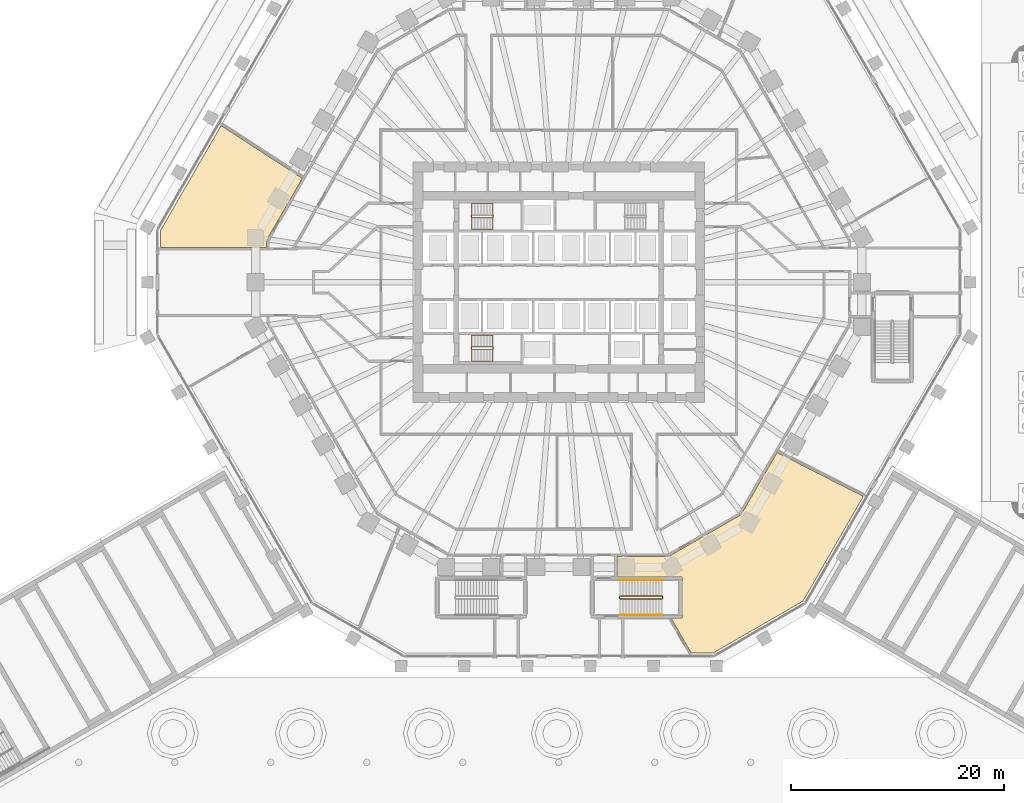
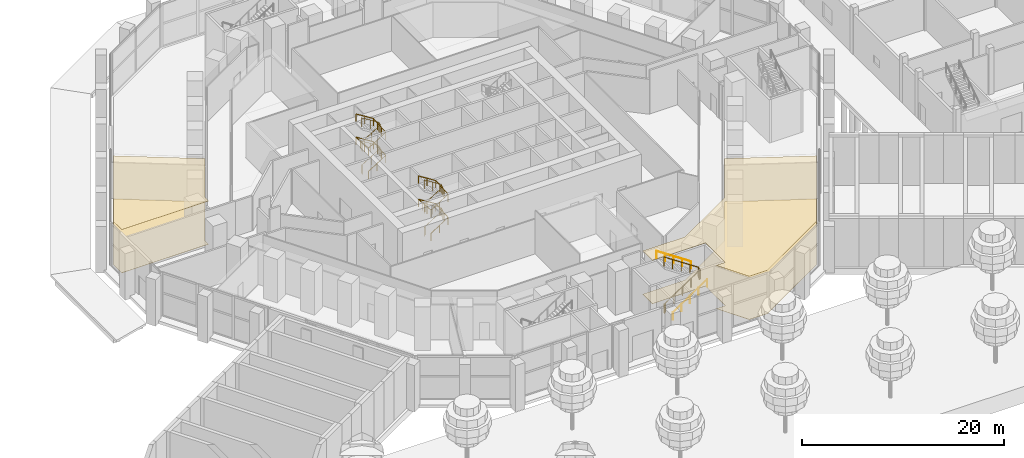
# One storey, part 34 of 44: 7 railings, 4 coverings.
"""IFC4 building model written with IfcOpenShell, lengths in metres."""

import ifcopenshell
import ifcopenshell.guid

model = None  # the IFC model being written
_history = None  # IfcOwnerHistory: only IFC2X3 demands one
_inside = {}  # id of a spatial element -> (the spatial element, [elements in it])
_under = {}  # id of a project, library or spatial element -> (it, [spatial elements below it])
_declared = {}  # id of a project -> (the project, [libraries it declares])
_typed = {}  # id of a type object -> (the type object, [elements of that type])
_made_of = {}  # id of a material, layer set ... -> (it, [elements and type objects made of it])


def new_model(schema):
    """Start an empty IFC model of exactly this schema.

    Asked for "IFC4X3", IfcOpenShell would pick the latest addendum, in which some entities
    have other attributes; the version numbers below select the first issue.
    IFC2X3 requires an IfcOwnerHistory on every rooted entity: one is made here for all.
    """
    global model, _history
    if schema == "IFC4X3":
        model = ifcopenshell.file(schema_version=(4, 3, 0, 0))
    else:
        model = ifcopenshell.file(schema=schema)
    _inside.clear()
    _under.clear()
    _declared.clear()
    _typed.clear()
    _made_of.clear()
    _history = None
    if model.schema == "IFC2X3":
        org = make("IfcOrganization", Name="unknown")
        user = make(
            "IfcPersonAndOrganization",
            ThePerson=make("IfcPerson", FamilyName="unknown"),
            TheOrganization=org,
        )
        app = make(
            "IfcApplication",
            ApplicationDeveloper=org,
            Version="unknown",
            ApplicationFullName="unknown",
            ApplicationIdentifier="unknown",
        )
        _history = make(
            "IfcOwnerHistory",
            OwningUser=user,
            OwningApplication=app,
            ChangeAction="ADDED",
            CreationDate=0,
        )
    return model


def make(cls, **values):
    """One entity of the class cls with the attributes given. An attribute that is None is left unset."""
    return model.create_entity(
        cls, **{name: value for name, value in values.items() if value is not None}
    )


def rooted(cls, **values):
    """An entity with a GlobalId (a new one), such as an element, a storey or a relation."""
    return make(cls, GlobalId=ifcopenshell.guid.new(), OwnerHistory=_history, **values)


def si_unit(unit_type, name, prefix=None):
    """IfcSIUnit, for example si_unit("LENGTHUNIT", "METRE", prefix="MILLI")."""
    return make("IfcSIUnit", UnitType=unit_type, Prefix=prefix, Name=name)


def assignment(units):
    """IfcUnitAssignment: the units of a project."""
    return None if units is None else make("IfcUnitAssignment", Units=units)


def point(xyz):
    """IfcCartesianPoint."""
    return None if xyz is None else make("IfcCartesianPoint", Coordinates=xyz)


def direction(xyz):
    """IfcDirection."""
    return None if xyz is None else make("IfcDirection", DirectionRatios=xyz)


def frame(location, z_axis=None, x_axis=None):
    """IfcAxis2Placement3D, a coordinate frame: its origin and axes. An axis left out is left unset."""
    return make(
        "IfcAxis2Placement3D",
        Location=point(location),
        Axis=direction(z_axis),
        RefDirection=direction(x_axis),
    )


def frame_2d(location, x_axis=None):
    """IfcAxis2Placement2D, a coordinate frame in the plane: its origin and x axis."""
    return make(
        "IfcAxis2Placement2D", Location=point(location), RefDirection=direction(x_axis)
    )


def origin():
    """The frame at (0, 0, 0) with its axes left unset."""
    return frame((0.0, 0.0, 0.0))


def origin_2d():
    """The frame at (0, 0) in the plane with its x axis left unset."""
    return frame_2d((0.0, 0.0))


def place(relative_to, where):
    """IfcLocalPlacement: puts the frame where relative to a parent placement (None: the world)."""
    return make(
        "IfcLocalPlacement", PlacementRelTo=relative_to, RelativePlacement=where
    )


def context(
    kind, dimensions, precision=None, world=None, true_north=None, identifier=None
):
    """IfcGeometricRepresentationContext, for example the 3D "Model" context."""
    return make(
        "IfcGeometricRepresentationContext",
        ContextIdentifier=identifier,
        ContextType=kind,
        CoordinateSpaceDimension=dimensions,
        Precision=precision,
        WorldCoordinateSystem=world,
        TrueNorth=true_north,
    )


def subcontext(parent, identifier, kind, view, scale=None):
    """IfcGeometricRepresentationSubContext, for example "Body" below "Model"."""
    return make(
        "IfcGeometricRepresentationSubContext",
        ContextIdentifier=identifier,
        ContextType=kind,
        ParentContext=parent,
        TargetScale=scale,
        TargetView=view,
    )


def project(units=None, contexts=None):
    """IfcProject with its units and contexts."""
    return rooted(
        "IfcProject",
        Name="project",
        RepresentationContexts=contexts,
        UnitsInContext=assignment(units),
    )


def spatial(cls, under=None, at=None, **own):
    """A site, building, storey or space (cls), placed at a placement, below another one or the project."""
    s = rooted(cls, ObjectPlacement=at, **own)
    if under is not None:
        _under.setdefault(under.id(), (under, []))[1].append(s)
    return s


def polyline(points):
    """IfcPolyline through the points."""
    return make("IfcPolyline", Points=[point(p) for p in points])


def profile(cls, at=None, kind="AREA", **sizes):
    """A parametric profile (cls). Its sizes go by their IFC names, for example OverallWidth=200.0."""
    return make(cls, ProfileType=kind, Position=at, **sizes)


def circle(**sizes):
    """IfcCircleProfileDef."""
    return profile("IfcCircleProfileDef", **sizes)


def outline(outer, holes=None, kind="AREA"):
    """IfcArbitraryClosedProfileDef: a profile drawn as a closed curve; with holes, ...WithVoids."""
    if holes is None:
        return make("IfcArbitraryClosedProfileDef", ProfileType=kind, OuterCurve=outer)
    return make(
        "IfcArbitraryProfileDefWithVoids",
        ProfileType=kind,
        OuterCurve=outer,
        InnerCurves=holes,
    )


def extrude(swept, where, along, depth):
    """IfcExtrudedAreaSolid: the profile swept, set in the frame where, extruded along a direction by depth."""
    return make(
        "IfcExtrudedAreaSolid",
        SweptArea=swept,
        Position=where,
        ExtrudedDirection=direction(along),
        Depth=depth,
    )


def shape(context_of_items, identifier, shape_type, items):
    """IfcShapeRepresentation: the items that make up one representation, for example the "Body"."""
    return make(
        "IfcShapeRepresentation",
        ContextOfItems=context_of_items,
        RepresentationIdentifier=identifier,
        RepresentationType=shape_type,
        Items=items,
    )


def material(Name=None, Category=None):
    """IfcMaterial."""
    return make("IfcMaterial", Name=Name, Category=Category)


def layer(
    of_material, thickness, ventilated=None, Name=None, Category=None, Priority=None
):
    """IfcMaterialLayer: one layer of a wall or slab, of a material (None: an air gap)."""
    return make(
        "IfcMaterialLayer",
        Material=of_material,
        LayerThickness=thickness,
        IsVentilated=ventilated,
        Name=Name,
        Category=Category,
        Priority=Priority,
    )


def layer_set(layers, Name=None):
    """IfcMaterialLayerSet."""
    return make("IfcMaterialLayerSet", MaterialLayers=layers, LayerSetName=Name)


def made_of(thing, what):
    """Note that an element or type object is made of a material, layer set ...; save() writes the relation."""
    if what is not None:
        _made_of.setdefault(what.id(), (what, []))[1].append(thing)
    return thing


def type_object(cls, material=None, **own):
    """A type object (cls), such as IfcWallType, which elements share."""
    return made_of(rooted(cls, **own), material)


def element(
    cls,
    number,
    at=None,
    inside=None,
    cuts=None,
    type_object=None,
    material=None,
    context=None,
    identifier="Body",
    shape_type=None,
    held_by="IfcProductDefinitionShape",
    body=None,
    shapes=None,
    **own,
):
    """One element of the class cls, such as IfcWall. Its Tag is "e" and its number.

    at: its placement. inside: the storey or other place that contains it. cuts: it is an
    opening in that element (IfcRelVoidsElement). A single representation is given by context,
    identifier, shape_type and body (its items); several are given by shapes. held_by: the class
    of the entity that holds the representations. save() writes the other relations.
    """
    e = rooted(cls, Tag="e%d" % number, ObjectPlacement=at, **own)
    if body is not None:
        shapes = [shape(context, identifier, shape_type, body)]
    if shapes is not None:
        e.Representation = make(held_by, Representations=shapes)
    if inside is not None:
        _inside.setdefault(inside.id(), (inside, []))[1].append(e)
    if cuts is not None:
        rooted(
            "IfcRelVoidsElement", RelatingBuildingElement=cuts, RelatedOpeningElement=e
        )
    if type_object is not None:
        _typed.setdefault(type_object.id(), (type_object, []))[1].append(e)
    return made_of(e, material)


def aggregate(whole, parts):
    """IfcRelAggregates: a whole, such as a stair, and the parts it consists of."""
    return rooted("IfcRelAggregates", RelatingObject=whole, RelatedObjects=parts)


def save(model, path):
    """Write the relations noted so far, then the file.

    IfcRelAggregates (storeys below a building ...), IfcRelContainedInSpatialStructure (elements
    in a storey), IfcRelDefinesByType, IfcRelAssociatesMaterial and IfcRelDeclares: one each for
    every whole, place, type object, material and project.
    """
    for whole, parts in _under.values():
        aggregate(whole, parts)
    for where, things in _inside.values():
        rooted(
            "IfcRelContainedInSpatialStructure",
            RelatedElements=things,
            RelatingStructure=where,
        )
    for kind, things in _typed.values():
        rooted("IfcRelDefinesByType", RelatedObjects=things, RelatingType=kind)
    for what, things in _made_of.values():
        rooted("IfcRelAssociatesMaterial", RelatedObjects=things, RelatingMaterial=what)
    for by, libraries in _declared.values():
        rooted("IfcRelDeclares", RelatingContext=by, RelatedDefinitions=libraries)
    model.write(path)


model = new_model("IFC4")

# Units and contexts
model_context = context("Model", 3, precision=1e-05, world=origin(), true_north=direction((0.0, 1.0)))
body_context = subcontext(model_context, "Body", "Model", "MODEL_VIEW")
ifc_project = project(units=[si_unit("LENGTHUNIT", "METRE"), si_unit("AREAUNIT", "SQUARE_METRE"), si_unit("VOLUMEUNIT", "CUBIC_METRE"), si_unit("PLANEANGLEUNIT", "RADIAN"), si_unit("MASSUNIT", "GRAM", prefix="KILO")], contexts=[model_context])

# Site, building, storey
site_placement = place(None, origin())
site = spatial("IfcSite", under=ifc_project, at=site_placement, CompositionType="ELEMENT")
building_placement = place(site_placement, origin())
building = spatial("IfcBuilding", under=site, at=building_placement, Name="Frailejon Research Tower", CompositionType="ELEMENT")
storey_placement = place(building_placement, origin())
storey = spatial("IfcBuildingStorey", under=building, at=storey_placement, Name="L00", CompositionType="ELEMENT", Elevation=0.0)

# Railings
ifc_material_1 = material(Name="Stainless steel", Category="steel")
railing_type_1 = type_object("IfcRailingType", Name="Stair guard 1100", PredefinedType="GUARDRAIL", material=ifc_material_1)
railing_1_placement = place(storey_placement, frame((-8.199951171875, 6.25, 0.0)))
element("IfcRailing", 1, at=railing_1_placement, inside=storey, type_object=railing_type_1, Name="L00 ST1 stair guard 1", PredefinedType="GUARDRAIL", context=body_context, shape_type="SweptSolid", body=[
    extrude(circle(Radius=0.02392578125, at=origin_2d()), frame((0.0, 0.0, 1.076171875), z_axis=(0.0, -1.0, 0.0), x_axis=(1.0, 0.0, 0.0)), (0.0, 0.0, 1.0), 0.14990234375),
    extrude(circle(Radius=0.02392578125, at=origin_2d()), frame((0.0, -0.14990234375, 1.076171875), z_axis=(0.265065253269, -0.265065253269, 0.927081885822), x_axis=(0.707106781187, 0.707106781187, 0.0)), (0.0, 0.0, 1.0), 0.188720703125),
    extrude(circle(Radius=0.02392578125, at=origin_2d()), frame((0.050048828125, -0.199951171875, 1.2509765625), z_axis=(0.848022040916, 0.0, 0.529960959053), x_axis=(0.0, 1.0, 0.0)), (0.0, 0.0, 1.0), 2.311279296875),
    extrude(circle(Radius=0.02392578125, at=origin_2d()), frame((2.010009765625, -0.199951171875, 2.47607421875), z_axis=(0.707106781187, 0.707106781187, 0.0), x_axis=(-0.707106781187, 0.707106781187, 0.0)), (0.0, 0.0, 1.0), 0.07080078125),
    extrude(circle(Radius=0.02392578125, at=origin_2d()), frame((2.06005859375, -0.14990234375, 2.47607421875), z_axis=(0.0, 1.0, 0.0), x_axis=(-1.0, 0.0, 0.0)), (0.0, 0.0, 1.0), 0.14990234375),
    extrude(circle(Radius=0.02392578125, at=origin_2d()), frame((2.06005859375, 0.0, 2.47607421875), z_axis=(-0.265065253269, 0.265065253269, 0.927081885822), x_axis=(-0.707106781187, -0.707106781187, 0.0)), (0.0, 0.0, 1.0), 0.188720703125),
    extrude(circle(Radius=0.02392578125, at=origin_2d()), frame((2.010009765625, 0.050048828125, 2.65087890625), z_axis=(-0.847974566722, 0.0, 0.530036917764), x_axis=(0.0, -1.0, 0.0)), (0.0, 0.0, 1.0), 2.311279296875),
    extrude(circle(Radius=0.02392578125, at=origin_2d()), frame((0.050048828125, 0.050048828125, 3.8759765625), z_axis=(-0.707106781187, -0.707106781187, 0.0), x_axis=(0.707106781187, -0.707106781187, 0.0)), (0.0, 0.0, 1.0), 0.07080078125),
    extrude(circle(Radius=0.02392578125, at=origin_2d()), frame((0.0, 0.0, 3.8759765625), z_axis=(0.0, -1.0, 0.0), x_axis=(1.0, 0.0, 0.0)), (0.0, 0.0, 1.0), 0.14990234375),
    extrude(circle(Radius=0.02392578125, at=origin_2d()), frame((0.0, -0.14990234375, 3.8759765625), z_axis=(0.265065253269, -0.265065253269, 0.927081885822), x_axis=(0.707106781187, 0.707106781187, 0.0)), (0.0, 0.0, 1.0), 0.188720703125),
    extrude(circle(Radius=0.02392578125, at=origin_2d()), frame((0.050048828125, -0.199951171875, 4.05126953125), z_axis=(0.848022040916, 0.0, 0.529960959053), x_axis=(0.0, 1.0, 0.0)), (0.0, 0.0, 1.0), 2.311279296875),
    extrude(circle(Radius=0.02392578125, at=origin_2d()), frame((2.010009765625, -0.199951171875, 5.27587890625), z_axis=(0.707106781187, 0.707106781187, 0.0), x_axis=(-0.707106781187, 0.707106781187, 0.0)), (0.0, 0.0, 1.0), 0.07080078125),
    extrude(circle(Radius=0.02392578125, at=origin_2d()), frame((2.06005859375, -0.14990234375, 5.27587890625), z_axis=(0.0, 1.0, 0.0), x_axis=(-1.0, 0.0, 0.0)), (0.0, 0.0, 1.0), 0.14990234375),
    extrude(circle(Radius=0.02392578125, at=origin_2d()), frame((2.06005859375, 0.0, 5.27587890625), z_axis=(-0.265065253269, 0.265065253269, 0.927081885822), x_axis=(-0.707106781187, -0.707106781187, 0.0)), (0.0, 0.0, 1.0), 0.188720703125),
    extrude(circle(Radius=0.02392578125, at=origin_2d()), frame((2.010009765625, 0.050048828125, 5.451171875), z_axis=(-0.847974566722, 0.0, 0.530036917764), x_axis=(0.0, -1.0, 0.0)), (0.0, 0.0, 1.0), 2.311279296875),
    extrude(circle(Radius=0.02099609375, at=origin_2d()), origin(), (0.0, 0.0, 1.0), 1.052001953125),
    extrude(circle(Radius=0.02099609375, at=origin_2d()), frame((0.0, -0.14990234375, 0.0)), (0.0, 0.0, 1.0), 1.052001953125),
    extrude(circle(Radius=0.02099609375, at=origin_2d()), frame((0.050048828125, -0.199951171875, 0.175048828125)), (0.0, 0.0, 1.0), 1.052001953125),
    extrude(circle(Radius=0.02099609375, at=origin_2d()), frame((1.030029296875, -0.199951171875, 0.78759765625)), (0.0, 0.0, 1.0), 1.052001953125),
    extrude(circle(Radius=0.02099609375, at=origin_2d()), frame((2.010009765625, -0.199951171875, 1.39990234375)), (0.0, 0.0, 1.0), 1.052001953125),
    extrude(circle(Radius=0.02099609375, at=origin_2d()), frame((2.06005859375, -0.14990234375, 1.39990234375)), (0.0, 0.0, 1.0), 1.052001953125),
    extrude(circle(Radius=0.02099609375, at=origin_2d()), frame((2.06005859375, 0.0, 1.39990234375)), (0.0, 0.0, 1.0), 1.052001953125),
    extrude(circle(Radius=0.02099609375, at=origin_2d()), frame((2.010009765625, 0.050048828125, 1.574951171875)), (0.0, 0.0, 1.0), 1.052001953125),
    extrude(circle(Radius=0.02099609375, at=origin_2d()), frame((1.030029296875, 0.050048828125, 2.1875)), (0.0, 0.0, 1.0), 1.052001953125),
    extrude(circle(Radius=0.02099609375, at=origin_2d()), frame((0.050048828125, 0.050048828125, 2.800048828125)), (0.0, 0.0, 1.0), 1.052001953125),
    extrude(circle(Radius=0.02099609375, at=origin_2d()), frame((0.0, 0.0, 2.800048828125)), (0.0, 0.0, 1.0), 1.052001953125),
    extrude(circle(Radius=0.02099609375, at=origin_2d()), frame((0.0, -0.14990234375, 2.800048828125)), (0.0, 0.0, 1.0), 1.052001953125),
    extrude(circle(Radius=0.02099609375, at=origin_2d()), frame((0.050048828125, -0.199951171875, 2.97509765625)), (0.0, 0.0, 1.0), 1.052001953125),
    extrude(circle(Radius=0.02099609375, at=origin_2d()), frame((1.030029296875, -0.199951171875, 3.58740234375)), (0.0, 0.0, 1.0), 1.052001953125),
    extrude(circle(Radius=0.02099609375, at=origin_2d()), frame((2.010009765625, -0.199951171875, 4.199951171875)), (0.0, 0.0, 1.0), 1.052001953125),
    extrude(circle(Radius=0.02099609375, at=origin_2d()), frame((2.06005859375, -0.14990234375, 4.199951171875)), (0.0, 0.0, 1.0), 1.052001953125),
    extrude(circle(Radius=0.02099609375, at=origin_2d()), frame((2.06005859375, 0.0, 4.199951171875)), (0.0, 0.0, 1.0), 1.052001953125),
    extrude(circle(Radius=0.02099609375, at=origin_2d()), frame((2.010009765625, 0.050048828125, 4.375)), (0.0, 0.0, 1.0), 1.052001953125),
    extrude(circle(Radius=0.02099609375, at=origin_2d()), frame((1.030029296875, 0.050048828125, 4.987548828125)), (0.0, 0.0, 1.0), 1.052001953125),
    extrude(circle(Radius=0.02099609375, at=origin_2d()), frame((0.050048828125, 0.050048828125, 5.60009765625)), (0.0, 0.0, 1.0), 1.052001953125),
])
railing_2_placement = place(storey_placement, frame((-8.199951171875, -6.10009765625, 0.0)))
element("IfcRailing", 2, at=railing_2_placement, inside=storey, type_object=railing_type_1, Name="L00 ST2 stair guard 1", PredefinedType="GUARDRAIL", context=body_context, shape_type="SweptSolid", body=[
    extrude(circle(Radius=0.02392578125, at=origin_2d()), frame((0.0, 0.0, 1.076171875), z_axis=(0.0, -1.0, 0.0), x_axis=(1.0, 0.0, 0.0)), (0.0, 0.0, 1.0), 0.14990234375),
    extrude(circle(Radius=0.02392578125, at=origin_2d()), frame((0.0, -0.14990234375, 1.076171875), z_axis=(0.265065253269, -0.265065253269, 0.927081885822), x_axis=(0.707106781187, 0.707106781187, 0.0)), (0.0, 0.0, 1.0), 0.188720703125),
    extrude(circle(Radius=0.02392578125, at=origin_2d()), frame((0.050048828125, -0.199951171875, 1.2509765625), z_axis=(0.848022040916, 0.0, 0.529960959053), x_axis=(0.0, 1.0, 0.0)), (0.0, 0.0, 1.0), 2.311279296875),
    extrude(circle(Radius=0.02392578125, at=origin_2d()), frame((2.010009765625, -0.199951171875, 2.47607421875), z_axis=(0.707106781187, 0.707106781187, 0.0), x_axis=(-0.707106781187, 0.707106781187, 0.0)), (0.0, 0.0, 1.0), 0.07080078125),
    extrude(circle(Radius=0.02392578125, at=origin_2d()), frame((2.06005859375, -0.14990234375, 2.47607421875), z_axis=(0.0, 1.0, 0.0), x_axis=(-1.0, 0.0, 0.0)), (0.0, 0.0, 1.0), 0.14990234375),
    extrude(circle(Radius=0.02392578125, at=origin_2d()), frame((2.06005859375, 0.0, 2.47607421875), z_axis=(-0.265065253269, 0.265065253269, 0.927081885822), x_axis=(-0.707106781187, -0.707106781187, 0.0)), (0.0, 0.0, 1.0), 0.188720703125),
    extrude(circle(Radius=0.02392578125, at=origin_2d()), frame((2.010009765625, 0.050048828125, 2.65087890625), z_axis=(-0.847974566722, 0.0, 0.530036917764), x_axis=(0.0, -1.0, 0.0)), (0.0, 0.0, 1.0), 2.311279296875),
    extrude(circle(Radius=0.02392578125, at=origin_2d()), frame((0.050048828125, 0.050048828125, 3.8759765625), z_axis=(-0.707106781187, -0.707106781187, 0.0), x_axis=(0.707106781187, -0.707106781187, 0.0)), (0.0, 0.0, 1.0), 0.07080078125),
    extrude(circle(Radius=0.02392578125, at=origin_2d()), frame((0.0, 0.0, 3.8759765625), z_axis=(0.0, -1.0, 0.0), x_axis=(1.0, 0.0, 0.0)), (0.0, 0.0, 1.0), 0.14990234375),
    extrude(circle(Radius=0.02392578125, at=origin_2d()), frame((0.0, -0.14990234375, 3.8759765625), z_axis=(0.265065253269, -0.265065253269, 0.927081885822), x_axis=(0.707106781187, 0.707106781187, 0.0)), (0.0, 0.0, 1.0), 0.188720703125),
    extrude(circle(Radius=0.02392578125, at=origin_2d()), frame((0.050048828125, -0.199951171875, 4.05126953125), z_axis=(0.848022040916, 0.0, 0.529960959053), x_axis=(0.0, 1.0, 0.0)), (0.0, 0.0, 1.0), 2.311279296875),
    extrude(circle(Radius=0.02392578125, at=origin_2d()), frame((2.010009765625, -0.199951171875, 5.27587890625), z_axis=(0.707106781187, 0.707106781187, 0.0), x_axis=(-0.707106781187, 0.707106781187, 0.0)), (0.0, 0.0, 1.0), 0.07080078125),
    extrude(circle(Radius=0.02392578125, at=origin_2d()), frame((2.06005859375, -0.14990234375, 5.27587890625), z_axis=(0.0, 1.0, 0.0), x_axis=(-1.0, 0.0, 0.0)), (0.0, 0.0, 1.0), 0.14990234375),
    extrude(circle(Radius=0.02392578125, at=origin_2d()), frame((2.06005859375, 0.0, 5.27587890625), z_axis=(-0.265065253269, 0.265065253269, 0.927081885822), x_axis=(-0.707106781187, -0.707106781187, 0.0)), (0.0, 0.0, 1.0), 0.188720703125),
    extrude(circle(Radius=0.02392578125, at=origin_2d()), frame((2.010009765625, 0.050048828125, 5.451171875), z_axis=(-0.847974566722, 0.0, 0.530036917764), x_axis=(0.0, -1.0, 0.0)), (0.0, 0.0, 1.0), 2.311279296875),
    extrude(circle(Radius=0.02099609375, at=origin_2d()), origin(), (0.0, 0.0, 1.0), 1.052001953125),
    extrude(circle(Radius=0.02099609375, at=origin_2d()), frame((0.0, -0.14990234375, 0.0)), (0.0, 0.0, 1.0), 1.052001953125),
    extrude(circle(Radius=0.02099609375, at=origin_2d()), frame((0.050048828125, -0.199951171875, 0.175048828125)), (0.0, 0.0, 1.0), 1.052001953125),
    extrude(circle(Radius=0.02099609375, at=origin_2d()), frame((1.030029296875, -0.199951171875, 0.78759765625)), (0.0, 0.0, 1.0), 1.052001953125),
    extrude(circle(Radius=0.02099609375, at=origin_2d()), frame((2.010009765625, -0.199951171875, 1.39990234375)), (0.0, 0.0, 1.0), 1.052001953125),
    extrude(circle(Radius=0.02099609375, at=origin_2d()), frame((2.06005859375, -0.14990234375, 1.39990234375)), (0.0, 0.0, 1.0), 1.052001953125),
    extrude(circle(Radius=0.02099609375, at=origin_2d()), frame((2.06005859375, 0.0, 1.39990234375)), (0.0, 0.0, 1.0), 1.052001953125),
    extrude(circle(Radius=0.02099609375, at=origin_2d()), frame((2.010009765625, 0.050048828125, 1.574951171875)), (0.0, 0.0, 1.0), 1.052001953125),
    extrude(circle(Radius=0.02099609375, at=origin_2d()), frame((1.030029296875, 0.050048828125, 2.1875)), (0.0, 0.0, 1.0), 1.052001953125),
    extrude(circle(Radius=0.02099609375, at=origin_2d()), frame((0.050048828125, 0.050048828125, 2.800048828125)), (0.0, 0.0, 1.0), 1.052001953125),
    extrude(circle(Radius=0.02099609375, at=origin_2d()), frame((0.0, 0.0, 2.800048828125)), (0.0, 0.0, 1.0), 1.052001953125),
    extrude(circle(Radius=0.02099609375, at=origin_2d()), frame((0.0, -0.14990234375, 2.800048828125)), (0.0, 0.0, 1.0), 1.052001953125),
    extrude(circle(Radius=0.02099609375, at=origin_2d()), frame((0.050048828125, -0.199951171875, 2.97509765625)), (0.0, 0.0, 1.0), 1.052001953125),
    extrude(circle(Radius=0.02099609375, at=origin_2d()), frame((1.030029296875, -0.199951171875, 3.58740234375)), (0.0, 0.0, 1.0), 1.052001953125),
    extrude(circle(Radius=0.02099609375, at=origin_2d()), frame((2.010009765625, -0.199951171875, 4.199951171875)), (0.0, 0.0, 1.0), 1.052001953125),
    extrude(circle(Radius=0.02099609375, at=origin_2d()), frame((2.06005859375, -0.14990234375, 4.199951171875)), (0.0, 0.0, 1.0), 1.052001953125),
    extrude(circle(Radius=0.02099609375, at=origin_2d()), frame((2.06005859375, 0.0, 4.199951171875)), (0.0, 0.0, 1.0), 1.052001953125),
    extrude(circle(Radius=0.02099609375, at=origin_2d()), frame((2.010009765625, 0.050048828125, 4.375)), (0.0, 0.0, 1.0), 1.052001953125),
    extrude(circle(Radius=0.02099609375, at=origin_2d()), frame((1.030029296875, 0.050048828125, 4.987548828125)), (0.0, 0.0, 1.0), 1.052001953125),
    extrude(circle(Radius=0.02099609375, at=origin_2d()), frame((0.050048828125, 0.050048828125, 5.60009765625)), (0.0, 0.0, 1.0), 1.052001953125),
])
railing_3_placement = place(storey_placement, frame((5.70703125, -29.47509765625, 0.0)))
element("IfcRailing", 3, at=railing_3_placement, inside=storey, type_object=railing_type_1, Name="L00 PS4 stair guard 1", PredefinedType="GUARDRAIL", context=body_context, shape_type="SweptSolid", body=[
    extrude(circle(Radius=0.02392578125, at=origin_2d()), frame((0.0, 0.0, 1.076171875), z_axis=(0.0, -1.0, 0.0), x_axis=(1.0, 0.0, 0.0)), (0.0, 0.0, 1.0), 0.14990234375),
    extrude(circle(Radius=0.02392578125, at=origin_2d()), frame((0.0, -0.14990234375, 1.076171875), z_axis=(0.249436846467, -0.250659576107, 0.935388174252), x_axis=(0.708833529934, 0.705375805398, 0.0)), (0.0, 0.0, 1.0), 0.19970703125),
    extrude(circle(Radius=0.02392578125, at=origin_2d()), frame((0.0498046875, -0.199951171875, 1.2626953125), z_axis=(0.832066238466, 0.0, 0.554676279289), x_axis=(0.0, 1.0, 0.0)), (0.0, 0.0, 1.0), 4.71142578125),
    extrude(circle(Radius=0.02392578125, at=origin_2d()), frame((3.969970703125, -0.199951171875, 3.8759765625), z_axis=(0.707106781187, 0.707106781187, 0.0), x_axis=(-0.707106781187, 0.707106781187, 0.0)), (0.0, 0.0, 1.0), 0.07080078125),
    extrude(circle(Radius=0.02392578125, at=origin_2d()), frame((4.02001953125, -0.14990234375, 3.8759765625), z_axis=(0.0, 1.0, 0.0), x_axis=(-1.0, 0.0, 0.0)), (0.0, 0.0, 1.0), 0.14990234375),
    extrude(circle(Radius=0.02392578125, at=origin_2d()), frame((4.02001953125, 0.0, 3.8759765625), z_axis=(-0.250869701741, 0.250869701741, 0.934948546978), x_axis=(-0.707106781187, -0.707106781187, 0.0)), (0.0, 0.0, 1.0), 0.199462890625),
    extrude(circle(Radius=0.02392578125, at=origin_2d()), frame((3.969970703125, 0.050048828125, 4.0625), z_axis=(-0.832042322245, 0.0, 0.554712154178), x_axis=(0.0, -1.0, 0.0)), (0.0, 0.0, 1.0), 4.71142578125),
    extrude(circle(Radius=0.02099609375, at=origin_2d()), origin(), (0.0, 0.0, 1.0), 1.052001953125),
    extrude(circle(Radius=0.02099609375, at=origin_2d()), frame((0.0, -0.14990234375, 0.0)), (0.0, 0.0, 1.0), 1.052001953125),
    extrude(circle(Radius=0.02099609375, at=origin_2d()), frame((0.0498046875, -0.199951171875, 0.186767578125)), (0.0, 0.0, 1.0), 1.052001953125),
    extrude(circle(Radius=0.02099609375, at=origin_2d()), frame((1.02978515625, -0.199951171875, 0.840087890625)), (0.0, 0.0, 1.0), 1.052001953125),
    extrude(circle(Radius=0.02099609375, at=origin_2d()), frame((2.009765625, -0.199951171875, 1.493408203125)), (0.0, 0.0, 1.0), 1.052001953125),
    extrude(circle(Radius=0.02099609375, at=origin_2d()), frame((2.989990234375, -0.199951171875, 2.146728515625)), (0.0, 0.0, 1.0), 1.052001953125),
    extrude(circle(Radius=0.02099609375, at=origin_2d()), frame((3.969970703125, -0.199951171875, 2.800048828125)), (0.0, 0.0, 1.0), 1.052001953125),
    extrude(circle(Radius=0.02099609375, at=origin_2d()), frame((4.02001953125, -0.14990234375, 2.800048828125)), (0.0, 0.0, 1.0), 1.052001953125),
    extrude(circle(Radius=0.02099609375, at=origin_2d()), frame((4.02001953125, 0.0, 2.800048828125)), (0.0, 0.0, 1.0), 1.052001953125),
    extrude(circle(Radius=0.02099609375, at=origin_2d()), frame((3.969970703125, 0.050048828125, 2.986572265625)), (0.0, 0.0, 1.0), 1.052001953125),
    extrude(circle(Radius=0.02099609375, at=origin_2d()), frame((2.989990234375, 0.050048828125, 3.639892578125)), (0.0, 0.0, 1.0), 1.052001953125),
    extrude(circle(Radius=0.02099609375, at=origin_2d()), frame((2.009765625, 0.050048828125, 4.29345703125)), (0.0, 0.0, 1.0), 1.052001953125),
    extrude(circle(Radius=0.02099609375, at=origin_2d()), frame((1.02978515625, 0.050048828125, 4.94677734375)), (0.0, 0.0, 1.0), 1.052001953125),
    extrude(circle(Radius=0.02099609375, at=origin_2d()), frame((0.0498046875, 0.050048828125, 5.60009765625)), (0.0, 0.0, 1.0), 1.052001953125),
])
ifc_material_2 = material(Name="Stainless steel", Category="steel")
railing_type_2 = type_object("IfcRailingType", Name="Stair handrail 900", PredefinedType="HANDRAIL", material=ifc_material_2)
railing_4_placement = place(storey_placement, frame((-8.14990234375, 4.949951171875, 0.175048828125)))
element("IfcRailing", 4, at=railing_4_placement, inside=storey, type_object=railing_type_2, Name="L00 ST1 stair handrail 1", PredefinedType="HANDRAIL", context=body_context, shape_type="SweptSolid", body=[
    extrude(circle(Radius=0.02392578125, at=origin_2d()), frame((0.0, 0.0, 0.8759765625), z_axis=(0.848022040916, 0.0, 0.529960959053), x_axis=(0.0, 1.0, 0.0)), (0.0, 0.0, 1.0), 2.311279296875),
    extrude(circle(Radius=0.02392578125, at=origin_2d()), frame((1.9599609375, 0.0, 2.1005859375), z_axis=(0.0, 0.997457185933, 0.071268241387), x_axis=(-1.0, 0.0, 0.0)), (0.0, 0.0, 1.0), 2.456298828125),
    extrude(circle(Radius=0.02392578125, at=origin_2d()), frame((1.9599609375, 2.449951171875, 2.27587890625), z_axis=(-0.847974566722, 0.0, 0.530036917764), x_axis=(0.0, -1.0, 0.0)), (0.0, 0.0, 1.0), 2.311279296875),
    extrude(circle(Radius=0.02392578125, at=origin_2d()), frame((0.0, 2.449951171875, 3.5009765625), z_axis=(0.0, -0.997457185933, 0.071268241387), x_axis=(1.0, 0.0, 0.0)), (0.0, 0.0, 1.0), 2.456298828125),
    extrude(circle(Radius=0.02392578125, at=origin_2d()), frame((0.0, 0.0, 3.67578125), z_axis=(0.848022040916, 0.0, 0.529960959053), x_axis=(0.0, 1.0, 0.0)), (0.0, 0.0, 1.0), 2.311279296875),
    extrude(circle(Radius=0.02392578125, at=origin_2d()), frame((1.9599609375, 0.0, 4.90087890625), z_axis=(0.0, 0.997457185933, 0.071268241387), x_axis=(-1.0, 0.0, 0.0)), (0.0, 0.0, 1.0), 2.456298828125),
    extrude(circle(Radius=0.02392578125, at=origin_2d()), frame((1.9599609375, 2.449951171875, 5.07568359375), z_axis=(-0.847974566722, 0.0, 0.530036917764), x_axis=(0.0, -1.0, 0.0)), (0.0, 0.0, 1.0), 2.311279296875),
    extrude(circle(Radius=0.02099609375, at=origin_2d()), origin(), (0.0, 0.0, 1.0), 0.851806640625),
    extrude(circle(Radius=0.02099609375, at=origin_2d()), frame((0.97998046875, 0.0, 0.6123046875)), (0.0, 0.0, 1.0), 0.851806640625),
    extrude(circle(Radius=0.02099609375, at=origin_2d()), frame((1.9599609375, 0.0, 1.224853515625)), (0.0, 0.0, 1.0), 0.851806640625),
    extrude(circle(Radius=0.02099609375, at=origin_2d()), frame((1.9599609375, 0.816650390625, 1.283203125)), (0.0, 0.0, 1.0), 0.851806640625),
    extrude(circle(Radius=0.02099609375, at=origin_2d()), frame((1.9599609375, 1.63330078125, 1.341552734375)), (0.0, 0.0, 1.0), 0.851806640625),
    extrude(circle(Radius=0.02099609375, at=origin_2d()), frame((1.9599609375, 2.449951171875, 1.39990234375)), (0.0, 0.0, 1.0), 0.851806640625),
    extrude(circle(Radius=0.02099609375, at=origin_2d()), frame((0.97998046875, 2.449951171875, 2.012451171875)), (0.0, 0.0, 1.0), 0.851806640625),
    extrude(circle(Radius=0.02099609375, at=origin_2d()), frame((0.0, 2.449951171875, 2.625)), (0.0, 0.0, 1.0), 0.851806640625),
    extrude(circle(Radius=0.02099609375, at=origin_2d()), frame((0.0, 1.63330078125, 2.683349609375)), (0.0, 0.0, 1.0), 0.851806640625),
    extrude(circle(Radius=0.02099609375, at=origin_2d()), frame((0.0, 0.816650390625, 2.74169921875)), (0.0, 0.0, 1.0), 0.851806640625),
    extrude(circle(Radius=0.02099609375, at=origin_2d()), frame((0.0, 0.0, 2.800048828125)), (0.0, 0.0, 1.0), 0.851806640625),
    extrude(circle(Radius=0.02099609375, at=origin_2d()), frame((0.97998046875, 0.0, 3.41259765625)), (0.0, 0.0, 1.0), 0.851806640625),
    extrude(circle(Radius=0.02099609375, at=origin_2d()), frame((1.9599609375, 0.0, 4.02490234375)), (0.0, 0.0, 1.0), 0.851806640625),
    extrude(circle(Radius=0.02099609375, at=origin_2d()), frame((1.9599609375, 0.816650390625, 4.083251953125)), (0.0, 0.0, 1.0), 0.851806640625),
    extrude(circle(Radius=0.02099609375, at=origin_2d()), frame((1.9599609375, 1.63330078125, 4.1416015625)), (0.0, 0.0, 1.0), 0.851806640625),
    extrude(circle(Radius=0.02099609375, at=origin_2d()), frame((1.9599609375, 2.449951171875, 4.199951171875)), (0.0, 0.0, 1.0), 0.851806640625),
    extrude(circle(Radius=0.02099609375, at=origin_2d()), frame((0.97998046875, 2.449951171875, 4.8125)), (0.0, 0.0, 1.0), 0.851806640625),
    extrude(circle(Radius=0.02099609375, at=origin_2d()), frame((0.0, 2.449951171875, 5.425048828125)), (0.0, 0.0, 1.0), 0.851806640625),
])
railing_5_placement = place(storey_placement, frame((-8.14990234375, -7.39990234375, 0.175048828125)))
element("IfcRailing", 5, at=railing_5_placement, inside=storey, type_object=railing_type_2, Name="L00 ST2 stair handrail 1", PredefinedType="HANDRAIL", context=body_context, shape_type="SweptSolid", body=[
    extrude(circle(Radius=0.02392578125, at=origin_2d()), frame((0.0, 0.0, 0.8759765625), z_axis=(0.848022040916, 0.0, 0.529960959053), x_axis=(0.0, 1.0, 0.0)), (0.0, 0.0, 1.0), 2.311279296875),
    extrude(circle(Radius=0.02392578125, at=origin_2d()), frame((1.9599609375, 0.0, 2.1005859375), z_axis=(0.0, 0.997457185933, 0.071268241387), x_axis=(-1.0, 0.0, 0.0)), (0.0, 0.0, 1.0), 2.456298828125),
    extrude(circle(Radius=0.02392578125, at=origin_2d()), frame((1.9599609375, 2.449951171875, 2.27587890625), z_axis=(-0.847974566722, 0.0, 0.530036917764), x_axis=(0.0, -1.0, 0.0)), (0.0, 0.0, 1.0), 2.311279296875),
    extrude(circle(Radius=0.02392578125, at=origin_2d()), frame((0.0, 2.449951171875, 3.5009765625), z_axis=(0.0, -0.997457185933, 0.071268241387), x_axis=(1.0, 0.0, 0.0)), (0.0, 0.0, 1.0), 2.456298828125),
    extrude(circle(Radius=0.02392578125, at=origin_2d()), frame((0.0, 0.0, 3.67578125), z_axis=(0.848022040916, 0.0, 0.529960959053), x_axis=(0.0, 1.0, 0.0)), (0.0, 0.0, 1.0), 2.311279296875),
    extrude(circle(Radius=0.02392578125, at=origin_2d()), frame((1.9599609375, 0.0, 4.90087890625), z_axis=(0.0, 0.997457185933, 0.071268241387), x_axis=(-1.0, 0.0, 0.0)), (0.0, 0.0, 1.0), 2.456298828125),
    extrude(circle(Radius=0.02392578125, at=origin_2d()), frame((1.9599609375, 2.449951171875, 5.07568359375), z_axis=(-0.847974566722, 0.0, 0.530036917764), x_axis=(0.0, -1.0, 0.0)), (0.0, 0.0, 1.0), 2.311279296875),
    extrude(circle(Radius=0.02099609375, at=origin_2d()), origin(), (0.0, 0.0, 1.0), 0.851806640625),
    extrude(circle(Radius=0.02099609375, at=origin_2d()), frame((0.97998046875, 0.0, 0.6123046875)), (0.0, 0.0, 1.0), 0.851806640625),
    extrude(circle(Radius=0.02099609375, at=origin_2d()), frame((1.9599609375, 0.0, 1.224853515625)), (0.0, 0.0, 1.0), 0.851806640625),
    extrude(circle(Radius=0.02099609375, at=origin_2d()), frame((1.9599609375, 0.816650390625, 1.283203125)), (0.0, 0.0, 1.0), 0.851806640625),
    extrude(circle(Radius=0.02099609375, at=origin_2d()), frame((1.9599609375, 1.63330078125, 1.341552734375)), (0.0, 0.0, 1.0), 0.851806640625),
    extrude(circle(Radius=0.02099609375, at=origin_2d()), frame((1.9599609375, 2.449951171875, 1.39990234375)), (0.0, 0.0, 1.0), 0.851806640625),
    extrude(circle(Radius=0.02099609375, at=origin_2d()), frame((0.97998046875, 2.449951171875, 2.012451171875)), (0.0, 0.0, 1.0), 0.851806640625),
    extrude(circle(Radius=0.02099609375, at=origin_2d()), frame((0.0, 2.449951171875, 2.625)), (0.0, 0.0, 1.0), 0.851806640625),
    extrude(circle(Radius=0.02099609375, at=origin_2d()), frame((0.0, 1.63330078125, 2.683349609375)), (0.0, 0.0, 1.0), 0.851806640625),
    extrude(circle(Radius=0.02099609375, at=origin_2d()), frame((0.0, 0.816650390625, 2.74169921875)), (0.0, 0.0, 1.0), 0.851806640625),
    extrude(circle(Radius=0.02099609375, at=origin_2d()), frame((0.0, 0.0, 2.800048828125)), (0.0, 0.0, 1.0), 0.851806640625),
    extrude(circle(Radius=0.02099609375, at=origin_2d()), frame((0.97998046875, 0.0, 3.41259765625)), (0.0, 0.0, 1.0), 0.851806640625),
    extrude(circle(Radius=0.02099609375, at=origin_2d()), frame((1.9599609375, 0.0, 4.02490234375)), (0.0, 0.0, 1.0), 0.851806640625),
    extrude(circle(Radius=0.02099609375, at=origin_2d()), frame((1.9599609375, 0.816650390625, 4.083251953125)), (0.0, 0.0, 1.0), 0.851806640625),
    extrude(circle(Radius=0.02099609375, at=origin_2d()), frame((1.9599609375, 1.63330078125, 4.1416015625)), (0.0, 0.0, 1.0), 0.851806640625),
    extrude(circle(Radius=0.02099609375, at=origin_2d()), frame((1.9599609375, 2.449951171875, 4.199951171875)), (0.0, 0.0, 1.0), 0.851806640625),
    extrude(circle(Radius=0.02099609375, at=origin_2d()), frame((0.97998046875, 2.449951171875, 4.8125)), (0.0, 0.0, 1.0), 0.851806640625),
    extrude(circle(Radius=0.02099609375, at=origin_2d()), frame((0.0, 2.449951171875, 5.425048828125)), (0.0, 0.0, 1.0), 0.851806640625),
])
railing_6_placement = place(storey_placement, frame((5.7568359375, -31.175048828125, 0.186767578125)))
element("IfcRailing", 6, at=railing_6_placement, inside=storey, type_object=railing_type_2, Name="L00 PS4 stair handrail 1", PredefinedType="HANDRAIL", context=body_context, shape_type="SweptSolid", body=[
    extrude(circle(Radius=0.02392578125, at=origin_2d()), frame((0.0, 0.0, 0.8759765625), z_axis=(0.832066238466, 0.0, 0.554676279289), x_axis=(0.0, 1.0, 0.0)), (0.0, 0.0, 1.0), 4.71142578125),
    extrude(circle(Radius=0.02099609375, at=origin_2d()), origin(), (0.0, 0.0, 1.0), 0.851806640625),
    extrude(circle(Radius=0.02099609375, at=origin_2d()), frame((0.97998046875, 0.0, 0.6533203125)), (0.0, 0.0, 1.0), 0.851806640625),
    extrude(circle(Radius=0.02099609375, at=origin_2d()), frame((1.9599609375, 0.0, 1.306640625)), (0.0, 0.0, 1.0), 0.851806640625),
    extrude(circle(Radius=0.02099609375, at=origin_2d()), frame((2.940185546875, 0.0, 1.9599609375)), (0.0, 0.0, 1.0), 0.851806640625),
    extrude(circle(Radius=0.02099609375, at=origin_2d()), frame((3.920166015625, 0.0, 2.61328125)), (0.0, 0.0, 1.0), 0.851806640625),
])
railing_7_placement = place(storey_placement, frame((9.677001953125, -27.925048828125, 2.986572265625)))
element("IfcRailing", 7, at=railing_7_placement, inside=storey, type_object=railing_type_2, Name="L00 PS4 stair handrail 2", PredefinedType="HANDRAIL", context=body_context, shape_type="SweptSolid", body=[
    extrude(circle(Radius=0.02392578125, at=origin_2d()), frame((0.0, 0.0, 0.8759765625), z_axis=(-0.832042322245, 0.0, 0.554712154178), x_axis=(0.0, -1.0, 0.0)), (0.0, 0.0, 1.0), 4.71142578125),
    extrude(circle(Radius=0.02099609375, at=origin_2d()), origin(), (0.0, 0.0, 1.0), 0.851806640625),
    extrude(circle(Radius=0.02099609375, at=origin_2d()), frame((-0.97998046875, 0.0, 0.6533203125)), (0.0, 0.0, 1.0), 0.851806640625),
    extrude(circle(Radius=0.02099609375, at=origin_2d()), frame((-1.9599609375, 0.0, 1.306640625)), (0.0, 0.0, 1.0), 0.851806640625),
    extrude(circle(Radius=0.02099609375, at=origin_2d()), frame((-2.940185546875, 0.0, 1.960205078125)), (0.0, 0.0, 1.0), 0.851806640625),
    extrude(circle(Radius=0.02099609375, at=origin_2d()), frame((-3.920166015625, 0.0, 2.613525390625)), (0.0, 0.0, 1.0), 0.851806640625),
])

# Coverings
ifc_material_3 = material(Name="Mineral fibre ceiling board")
ifc_layer_1 = layer(ifc_material_3, 0.0400390625)
ifc_layer_set_1 = layer_set([ifc_layer_1], Name="Suspended ceiling 40")
covering_type_1 = type_object("IfcCoveringType", Name="Suspended ceiling 40", PredefinedType="CEILING", material=ifc_layer_set_1)
covering_1_placement = place(storey_placement, frame((0.0, 0.0, 5.2099609375)))
element("IfcCovering", 8, at=covering_1_placement, inside=storey, type_object=covering_type_1, Name="Ceiling Exhibition hall L00-017", PredefinedType="CEILING", context=body_context, shape_type="SweptSolid", body=[
    extrude(outline(polyline([(-27.40283203125, 3.239990234375), (-27.40283203125, 3.9169921875), (-24.04296875, 9.736328125), (-31.655517578125, 14.69140625), (-37.3291015625, 4.864013671875), (-37.3291015625, 3.239990234375), (-27.40283203125, 3.239990234375)])), origin(), (0.0, 0.0, 1.0), 0.0400390625),
])
covering_2_placement = place(storey_placement, frame((0.0, 0.0, 5.2099609375)))
element("IfcCovering", 9, at=covering_2_placement, inside=storey, type_object=covering_type_1, Name="Ceiling Visitor centre L00-027", PredefinedType="CEILING", context=body_context, shape_type="SweptSolid", body=[
    extrude(outline(polyline([(11.5419921875, -27.610107421875), (11.5419921875, -31.489990234375), (10.51611328125, -31.489990234375), (12.404052734375, -34.760009765625), (14.452392578125, -34.760009765625), (22.876953125, -29.89599609375), (28.55078125, -20.068603515625), (20.453369140625, -15.95361328125), (17.093505859375, -21.773193359375), (10.30908203125, -25.68994140625), (5.471923828125, -25.68994140625), (5.471923828125, -27.610107421875), (11.5419921875, -27.610107421875)])), origin(), (0.0, 0.0, 1.0), 0.0400390625),
])
ifc_material_4 = material(Name="Polished terrazzo")
ifc_layer_2 = layer(ifc_material_4, 0.030029296875)
ifc_layer_set_2 = layer_set([ifc_layer_2], Name="Terrazzo floor finish 30")
covering_type_2 = type_object("IfcCoveringType", Name="Terrazzo floor finish 30", PredefinedType="FLOORING", material=ifc_layer_set_2)
covering_3_placement = place(storey_placement, origin())
element("IfcCovering", 10, at=covering_3_placement, inside=storey, type_object=covering_type_2, Name="Floor finish Exhibition hall L00-017", PredefinedType="FLOORING", context=body_context, shape_type="SweptSolid", body=[
    extrude(outline(polyline([(-27.40283203125, 3.239990234375), (-27.40283203125, 3.9169921875), (-24.04296875, 9.736328125), (-31.655517578125, 14.69140625), (-37.3291015625, 4.864013671875), (-37.3291015625, 3.239990234375), (-27.40283203125, 3.239990234375)])), origin(), (0.0, 0.0, 1.0), 0.030029296875),
])
covering_4_placement = place(storey_placement, origin())
element("IfcCovering", 11, at=covering_4_placement, inside=storey, type_object=covering_type_2, Name="Floor finish Visitor centre L00-027", PredefinedType="FLOORING", context=body_context, shape_type="SweptSolid", body=[
    extrude(outline(polyline([(11.5419921875, -27.610107421875), (11.5419921875, -31.489990234375), (10.51611328125, -31.489990234375), (12.404052734375, -34.760009765625), (14.452392578125, -34.760009765625), (22.876953125, -29.89599609375), (28.55078125, -20.068603515625), (20.453369140625, -15.95361328125), (17.093505859375, -21.773193359375), (10.30908203125, -25.68994140625), (5.471923828125, -25.68994140625), (5.471923828125, -27.610107421875), (11.5419921875, -27.610107421875)])), origin(), (0.0, 0.0, 1.0), 0.030029296875),
])

save(model, "model.ifc")
